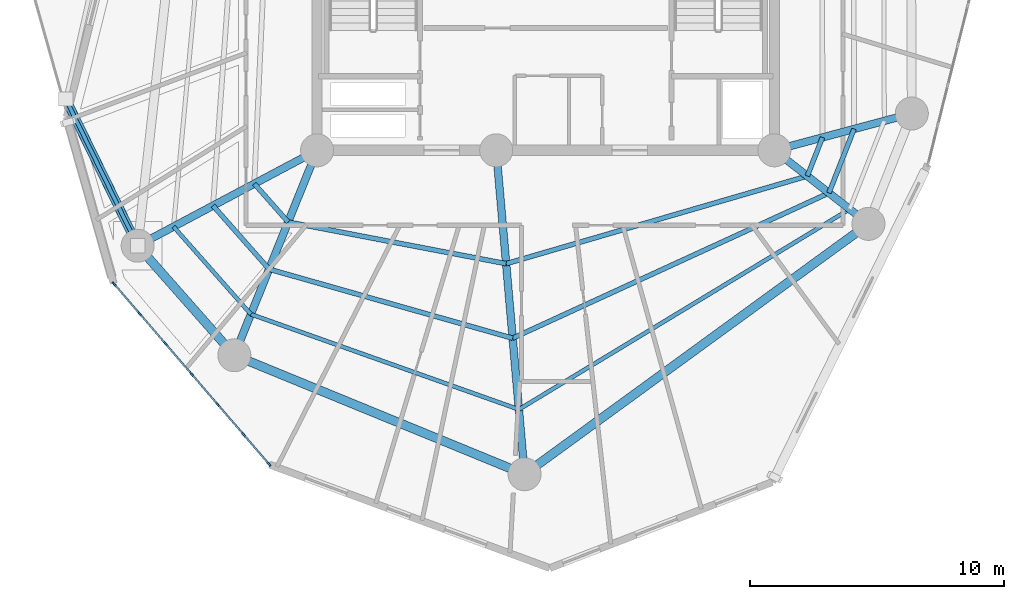
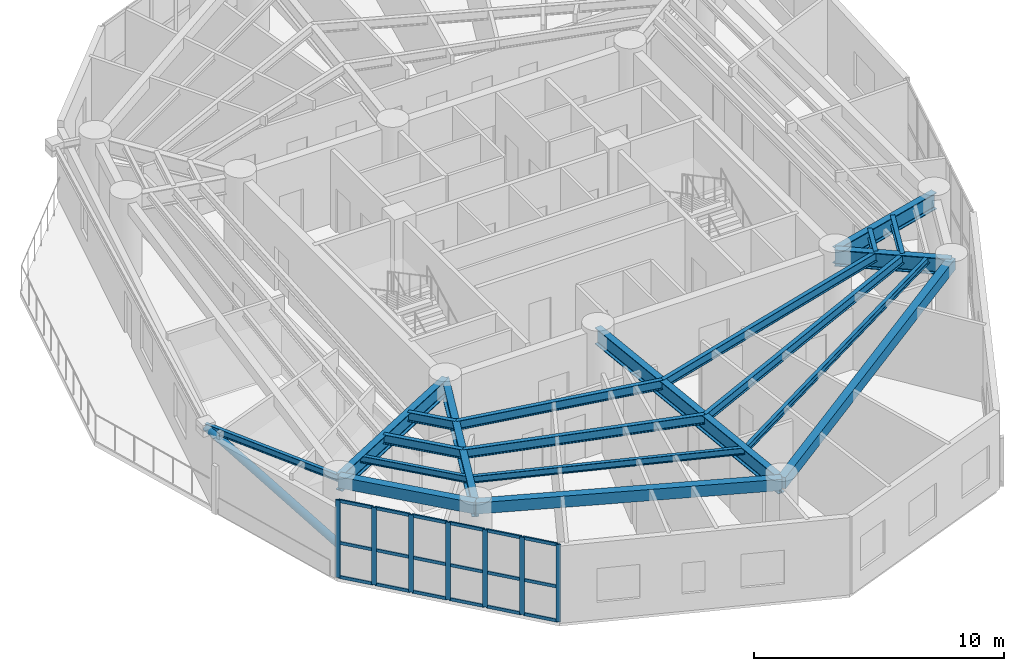
# One storey, part 2 of 14: 26 members, 20 beams, 1 element without a shape of its own.
"""IFC4 building model written with IfcOpenShell, lengths in metres."""

import ifcopenshell
import ifcopenshell.guid

model = None  # the IFC model being written
_history = None  # IfcOwnerHistory: only IFC2X3 demands one
_inside = {}  # id of a spatial element -> (the spatial element, [elements in it])
_under = {}  # id of a project, library or spatial element -> (it, [spatial elements below it])
_declared = {}  # id of a project -> (the project, [libraries it declares])
_typed = {}  # id of a type object -> (the type object, [elements of that type])
_made_of = {}  # id of a material, layer set ... -> (it, [elements and type objects made of it])


def new_model(schema):
    """Start an empty IFC model of exactly this schema.

    Asked for "IFC4X3", IfcOpenShell would pick the latest addendum, in which some entities
    have other attributes; the version numbers below select the first issue.
    IFC2X3 requires an IfcOwnerHistory on every rooted entity: one is made here for all.
    """
    global model, _history
    if schema == "IFC4X3":
        model = ifcopenshell.file(schema_version=(4, 3, 0, 0))
    else:
        model = ifcopenshell.file(schema=schema)
    _inside.clear()
    _under.clear()
    _declared.clear()
    _typed.clear()
    _made_of.clear()
    _history = None
    if model.schema == "IFC2X3":
        org = make("IfcOrganization", Name="unknown")
        user = make(
            "IfcPersonAndOrganization",
            ThePerson=make("IfcPerson", FamilyName="unknown"),
            TheOrganization=org,
        )
        app = make(
            "IfcApplication",
            ApplicationDeveloper=org,
            Version="unknown",
            ApplicationFullName="unknown",
            ApplicationIdentifier="unknown",
        )
        _history = make(
            "IfcOwnerHistory",
            OwningUser=user,
            OwningApplication=app,
            ChangeAction="ADDED",
            CreationDate=0,
        )
    return model


def make(cls, **values):
    """One entity of the class cls with the attributes given. An attribute that is None is left unset."""
    return model.create_entity(
        cls, **{name: value for name, value in values.items() if value is not None}
    )


def rooted(cls, **values):
    """An entity with a GlobalId (a new one), such as an element, a storey or a relation."""
    return make(cls, GlobalId=ifcopenshell.guid.new(), OwnerHistory=_history, **values)


def si_unit(unit_type, name, prefix=None):
    """IfcSIUnit, for example si_unit("LENGTHUNIT", "METRE", prefix="MILLI")."""
    return make("IfcSIUnit", UnitType=unit_type, Prefix=prefix, Name=name)


def assignment(units):
    """IfcUnitAssignment: the units of a project."""
    return None if units is None else make("IfcUnitAssignment", Units=units)


def point(xyz):
    """IfcCartesianPoint."""
    return None if xyz is None else make("IfcCartesianPoint", Coordinates=xyz)


def direction(xyz):
    """IfcDirection."""
    return None if xyz is None else make("IfcDirection", DirectionRatios=xyz)


def frame(location, z_axis=None, x_axis=None):
    """IfcAxis2Placement3D, a coordinate frame: its origin and axes. An axis left out is left unset."""
    return make(
        "IfcAxis2Placement3D",
        Location=point(location),
        Axis=direction(z_axis),
        RefDirection=direction(x_axis),
    )


def frame_2d(location, x_axis=None):
    """IfcAxis2Placement2D, a coordinate frame in the plane: its origin and x axis."""
    return make(
        "IfcAxis2Placement2D", Location=point(location), RefDirection=direction(x_axis)
    )


def origin():
    """The frame at (0, 0, 0) with its axes left unset."""
    return frame((0.0, 0.0, 0.0))


def origin_with_axes():
    """The frame at (0, 0, 0) with the z axis (0, 0, 1) and the x axis (1, 0, 0) written out."""
    return frame((0.0, 0.0, 0.0), z_axis=(0.0, 0.0, 1.0), x_axis=(1.0, 0.0, 0.0))


def origin_2d():
    """The frame at (0, 0) in the plane with its x axis left unset."""
    return frame_2d((0.0, 0.0))


def place(relative_to, where):
    """IfcLocalPlacement: puts the frame where relative to a parent placement (None: the world)."""
    return make(
        "IfcLocalPlacement", PlacementRelTo=relative_to, RelativePlacement=where
    )


def context(
    kind, dimensions, precision=None, world=None, true_north=None, identifier=None
):
    """IfcGeometricRepresentationContext, for example the 3D "Model" context."""
    return make(
        "IfcGeometricRepresentationContext",
        ContextIdentifier=identifier,
        ContextType=kind,
        CoordinateSpaceDimension=dimensions,
        Precision=precision,
        WorldCoordinateSystem=world,
        TrueNorth=true_north,
    )


def subcontext(parent, identifier, kind, view, scale=None):
    """IfcGeometricRepresentationSubContext, for example "Body" below "Model"."""
    return make(
        "IfcGeometricRepresentationSubContext",
        ContextIdentifier=identifier,
        ContextType=kind,
        ParentContext=parent,
        TargetScale=scale,
        TargetView=view,
    )


def project(units=None, contexts=None):
    """IfcProject with its units and contexts."""
    return rooted(
        "IfcProject",
        Name="project",
        RepresentationContexts=contexts,
        UnitsInContext=assignment(units),
    )


def spatial(cls, under=None, at=None, **own):
    """A site, building, storey or space (cls), placed at a placement, below another one or the project."""
    s = rooted(cls, ObjectPlacement=at, **own)
    if under is not None:
        _under.setdefault(under.id(), (under, []))[1].append(s)
    return s


def profile(cls, at=None, kind="AREA", **sizes):
    """A parametric profile (cls). Its sizes go by their IFC names, for example OverallWidth=200.0."""
    return make(cls, ProfileType=kind, Position=at, **sizes)


def rectangle(**sizes):
    """IfcRectangleProfileDef."""
    return profile("IfcRectangleProfileDef", **sizes)


def hollow_circle(**sizes):
    """IfcCircleHollowProfileDef."""
    return profile("IfcCircleHollowProfileDef", **sizes)


def i_section(**sizes):
    """IfcIShapeProfileDef."""
    return profile("IfcIShapeProfileDef", **sizes)


def extrude(swept, where, along, depth):
    """IfcExtrudedAreaSolid: the profile swept, set in the frame where, extruded along a direction by depth."""
    return make(
        "IfcExtrudedAreaSolid",
        SweptArea=swept,
        Position=where,
        ExtrudedDirection=direction(along),
        Depth=depth,
    )


def shape(context_of_items, identifier, shape_type, items):
    """IfcShapeRepresentation: the items that make up one representation, for example the "Body"."""
    return make(
        "IfcShapeRepresentation",
        ContextOfItems=context_of_items,
        RepresentationIdentifier=identifier,
        RepresentationType=shape_type,
        Items=items,
    )


def source(mapping_origin, context_of_items, identifier, shape_type, items):
    """IfcRepresentationMap: a shape defined once, which mapped items show again and again."""
    return make(
        "IfcRepresentationMap",
        MappingOrigin=mapping_origin,
        MappedRepresentation=shape(context_of_items, identifier, shape_type, items),
    )


def transform(
    local_origin,
    x_axis=None,
    y_axis=None,
    z_axis=None,
    scale=None,
    scale2=None,
    scale3=None,
    uniform=True,
):
    """IfcCartesianTransformationOperator3D, or its non-uniform kind. x_axis, y_axis, z_axis: its Axis1, 2, 3."""
    if uniform:
        return make(
            "IfcCartesianTransformationOperator3D",
            Axis1=direction(x_axis),
            Axis2=direction(y_axis),
            LocalOrigin=point(local_origin),
            Scale=scale,
            Axis3=direction(z_axis),
        )
    return make(
        "IfcCartesianTransformationOperator3DnonUniform",
        Axis1=direction(x_axis),
        Axis2=direction(y_axis),
        LocalOrigin=point(local_origin),
        Scale=scale,
        Axis3=direction(z_axis),
        Scale2=scale2,
        Scale3=scale3,
    )


def mapped(mapping_source, mapping_target):
    """IfcMappedItem: shows the shape of a source again, moved by a transform."""
    return make(
        "IfcMappedItem", MappingSource=mapping_source, MappingTarget=mapping_target
    )


def material(Name=None, Category=None):
    """IfcMaterial."""
    return make("IfcMaterial", Name=Name, Category=Category)


def layer(
    of_material, thickness, ventilated=None, Name=None, Category=None, Priority=None
):
    """IfcMaterialLayer: one layer of a wall or slab, of a material (None: an air gap)."""
    return make(
        "IfcMaterialLayer",
        Material=of_material,
        LayerThickness=thickness,
        IsVentilated=ventilated,
        Name=Name,
        Category=Category,
        Priority=Priority,
    )


def layer_set(layers, Name=None):
    """IfcMaterialLayerSet."""
    return make("IfcMaterialLayerSet", MaterialLayers=layers, LayerSetName=Name)


def material_profile(
    of_material, cross_section, Name=None, Category=None, Priority=None
):
    """IfcMaterialProfile: a cross section and its material."""
    return make(
        "IfcMaterialProfile",
        Name=Name,
        Material=of_material,
        Profile=cross_section,
        Priority=Priority,
        Category=Category,
    )


def profile_set(profiles, Name=None, composite=None):
    """IfcMaterialProfileSet."""
    return make(
        "IfcMaterialProfileSet",
        Name=Name,
        MaterialProfiles=profiles,
        CompositeProfile=composite,
    )


def made_of(thing, what):
    """Note that an element or type object is made of a material, layer set ...; save() writes the relation."""
    if what is not None:
        _made_of.setdefault(what.id(), (what, []))[1].append(thing)
    return thing


def type_object(cls, material=None, **own):
    """A type object (cls), such as IfcWallType, which elements share."""
    return made_of(rooted(cls, **own), material)


def element(
    cls,
    number,
    at=None,
    inside=None,
    cuts=None,
    type_object=None,
    material=None,
    context=None,
    identifier="Body",
    shape_type=None,
    held_by="IfcProductDefinitionShape",
    body=None,
    shapes=None,
    **own,
):
    """One element of the class cls, such as IfcWall. Its Tag is "e" and its number.

    at: its placement. inside: the storey or other place that contains it. cuts: it is an
    opening in that element (IfcRelVoidsElement). A single representation is given by context,
    identifier, shape_type and body (its items); several are given by shapes. held_by: the class
    of the entity that holds the representations. save() writes the other relations.
    """
    e = rooted(cls, Tag="e%d" % number, ObjectPlacement=at, **own)
    if body is not None:
        shapes = [shape(context, identifier, shape_type, body)]
    if shapes is not None:
        e.Representation = make(held_by, Representations=shapes)
    if inside is not None:
        _inside.setdefault(inside.id(), (inside, []))[1].append(e)
    if cuts is not None:
        rooted(
            "IfcRelVoidsElement", RelatingBuildingElement=cuts, RelatedOpeningElement=e
        )
    if type_object is not None:
        _typed.setdefault(type_object.id(), (type_object, []))[1].append(e)
    return made_of(e, material)


def aggregate(whole, parts):
    """IfcRelAggregates: a whole, such as a stair, and the parts it consists of."""
    return rooted("IfcRelAggregates", RelatingObject=whole, RelatedObjects=parts)


def save(model, path):
    """Write the relations noted so far, then the file.

    IfcRelAggregates (storeys below a building ...), IfcRelContainedInSpatialStructure (elements
    in a storey), IfcRelDefinesByType, IfcRelAssociatesMaterial and IfcRelDeclares: one each for
    every whole, place, type object, material and project.
    """
    for whole, parts in _under.values():
        aggregate(whole, parts)
    for where, things in _inside.values():
        rooted(
            "IfcRelContainedInSpatialStructure",
            RelatedElements=things,
            RelatingStructure=where,
        )
    for kind, things in _typed.values():
        rooted("IfcRelDefinesByType", RelatedObjects=things, RelatingType=kind)
    for what, things in _made_of.values():
        rooted("IfcRelAssociatesMaterial", RelatedObjects=things, RelatingMaterial=what)
    for by, libraries in _declared.values():
        rooted("IfcRelDeclares", RelatingContext=by, RelatedDefinitions=libraries)
    model.write(path)


model = new_model("IFC4")

# Units and contexts
model_context = context("Model", 3, precision=1e-05, world=origin(), true_north=direction((0.0, 1.0)))
body_context = subcontext(model_context, "Body", "Model", "MODEL_VIEW")
ifc_project = project(units=[si_unit("LENGTHUNIT", "METRE"), si_unit("AREAUNIT", "SQUARE_METRE"), si_unit("VOLUMEUNIT", "CUBIC_METRE"), si_unit("PLANEANGLEUNIT", "RADIAN"), si_unit("MASSUNIT", "GRAM", prefix="KILO")], contexts=[model_context])

# Site, building, storey
site_placement = place(None, origin())
site = spatial("IfcSite", under=ifc_project, at=site_placement, CompositionType="ELEMENT")
building_placement = place(site_placement, origin())
building = spatial("IfcBuilding", under=site, at=building_placement, Name="Karkom Vertical University and Central Library", CompositionType="ELEMENT")
storey_placement = place(building_placement, frame((0.0, 0.0, 152.550048828125)))
storey = spatial("IfcBuildingStorey", under=building, at=storey_placement, Name="L43", CompositionType="ELEMENT", Elevation=152.550048828125)

# Beams
ifc_material_1 = material(Name="Steel S355", Category="steel")
ifc_material_profile_1 = material_profile(ifc_material_1, i_section(OverallWidth=0.300048828125, OverallDepth=0.800048828125, WebThickness=0.017578125, FlangeThickness=0.032958984375, FilletRadius=0.030029296875, at=origin_2d()), Name="HE 800 B")
ifc_profile_set_1 = profile_set([ifc_material_profile_1], Name="Steel S355")
beam_type_1 = type_object("IfcBeamType", Name="STR-BM-SB-HE800", PredefinedType="USERDEFINED", material=ifc_profile_set_1)
shared_shape_1 = source(origin_with_axes(), body_context, "Body", "SweptSolid", [
    extrude(i_section(OverallWidth=0.300048828125, OverallDepth=0.800048828125, WebThickness=0.017578125, FlangeThickness=0.032958984375, FilletRadius=0.030029296875, at=origin_2d()), origin(), (0.0, 0.0, 1.0), 5.599609375),
])
beam_1_placement = place(storey_placement, frame((37.5, 18.300048828125, 3.375), z_axis=(0.965941240814, 0.258761510459, 0.0), x_axis=(-0.258761510459, 0.965941240814, 0.0)))
element("IfcBeam", 1, at=beam_1_placement, inside=storey, type_object=beam_type_1, Name="Level 43 Radial Frame Girder 01", ObjectType="GIRDER", PredefinedType="USERDEFINED", context=body_context, shape_type="MappedRepresentation", body=[
    mapped(shared_shape_1, transform((0.0, 0.0, 0.0), scale=1.0)),
])
shared_shape_2 = source(origin_with_axes(), body_context, "Body", "SweptSolid", [
    extrude(i_section(OverallWidth=0.300048828125, OverallDepth=0.800048828125, WebThickness=0.017578125, FlangeThickness=0.032958984375, FilletRadius=0.030029296875, at=origin_2d()), origin(), (0.0, 0.0, 1.0), 8.00048828125),
])
beam_2_placement = place(storey_placement, frame((19.5, 18.300048828125, 3.375), z_axis=(-0.882941023922, -0.46948391695, 0.0), x_axis=(0.46948391695, -0.882941023922, 0.0)))
element("IfcBeam", 2, at=beam_2_placement, inside=storey, type_object=beam_type_1, Name="Level 43 Radial Frame Girder 06", ObjectType="GIRDER", PredefinedType="USERDEFINED", context=body_context, shape_type="MappedRepresentation", body=[
    mapped(shared_shape_2, transform((0.0, 0.0, 0.0), scale=1.0)),
])
shared_shape_3 = source(origin_with_axes(), body_context, "Body", "SweptSolid", [
    extrude(i_section(OverallWidth=0.300048828125, OverallDepth=0.800048828125, WebThickness=0.017578125, FlangeThickness=0.032958984375, FilletRadius=0.030029296875, at=origin_2d()), origin(), (0.0, 0.0, 1.0), 8.69970703125),
])
beam_3_placement = place(storey_placement, frame((19.5, 18.300048828125, 3.375), z_axis=(-0.374615701214, -0.927180174725, 0.0), x_axis=(0.927180174725, -0.374615701214, 0.0)))
element("IfcBeam", 3, at=beam_3_placement, inside=storey, type_object=beam_type_1, Name="Level 43 Radial Frame Girder 07", ObjectType="GIRDER", PredefinedType="USERDEFINED", context=body_context, shape_type="MappedRepresentation", body=[
    mapped(shared_shape_3, transform((0.0, 0.0, 0.0), scale=1.0)),
])
shared_shape_4 = source(origin_with_axes(), body_context, "Body", "SweptSolid", [
    extrude(i_section(OverallWidth=0.300048828125, OverallDepth=0.800048828125, WebThickness=0.017578125, FlangeThickness=0.032958984375, FilletRadius=0.030029296875, at=origin_2d()), origin(), (0.0, 0.0, 1.0), 12.7998046875),
])
beam_4_placement = place(storey_placement, frame((26.550048828125, 18.300048828125, 3.375), z_axis=(0.087186825694, -0.996191978198, 0.0), x_axis=(0.996191978198, 0.087186825694, 0.0)))
element("IfcBeam", 4, at=beam_4_placement, inside=storey, type_object=beam_type_1, Name="Level 43 Radial Frame Girder 08", ObjectType="GIRDER", PredefinedType="USERDEFINED", context=body_context, shape_type="MappedRepresentation", body=[
    mapped(shared_shape_4, transform((0.0, 0.0, 0.0), scale=1.0)),
])
shared_shape_5 = source(origin_with_axes(), body_context, "Body", "SweptSolid", [
    extrude(i_section(OverallWidth=0.300048828125, OverallDepth=0.800048828125, WebThickness=0.017578125, FlangeThickness=0.032958984375, FilletRadius=0.030029296875, at=origin_2d()), origin(), (0.0, 0.0, 1.0), 4.70068359375),
])
beam_5_placement = place(storey_placement, frame((37.5, 18.300048828125, 3.375), z_axis=(0.788002325582, -0.615672262553, 0.0), x_axis=(0.615672262553, 0.788002325582, 0.0)))
element("IfcBeam", 5, at=beam_5_placement, inside=storey, type_object=beam_type_1, Name="Level 43 Radial Frame Girder 09", ObjectType="GIRDER", PredefinedType="USERDEFINED", context=body_context, shape_type="MappedRepresentation", body=[
    mapped(shared_shape_5, transform((0.0, 0.0, 0.0), scale=1.0)),
])
ifc_material_2 = material(Name="Precast concrete C45/55", Category="concrete")
ifc_material_profile_2 = material_profile(ifc_material_2, rectangle(XDim=0.35009765625, YDim=0.550048828125, at=origin_2d()), Name="SPB-350x550")
ifc_profile_set_2 = profile_set([ifc_material_profile_2], Name="Precast concrete C45/55")
beam_type_2 = type_object("IfcBeamType", Name="STR-BM-SP-2", PredefinedType="SPANDREL", material=ifc_profile_set_2)
shared_shape_6 = source(origin_with_axes(), body_context, "Body", "SweptSolid", [
    extrude(rectangle(XDim=0.35009765625, YDim=0.550048828125, at=origin_2d()), origin(), (0.0, 0.0, 1.0), 5.749267578125),
])
beam_6_placement = place(storey_placement, frame((12.43603515625, 14.5439453125, 3.5), z_axis=(0.661811219671, -0.74967053398, 0.0), x_axis=(0.74967053398, 0.661811219671, 0.0)))
element("IfcBeam", 6, at=beam_6_placement, inside=storey, type_object=beam_type_2, Name="Level 43 Perimeter Spandrel Beam 06", PredefinedType="SPANDREL", context=body_context, shape_type="MappedRepresentation", body=[
    mapped(shared_shape_6, transform((0.0, 0.0, 0.0), scale=1.0)),
])
shared_shape_7 = source(origin_with_axes(), body_context, "Body", "SweptSolid", [
    extrude(rectangle(XDim=0.35009765625, YDim=0.550048828125, at=origin_2d()), origin(), (0.0, 0.0, 1.0), 12.34814453125),
])
beam_7_placement = place(storey_placement, frame((16.240966796875, 10.23388671875, 3.5), z_axis=(0.925236428984, -0.37939102583, 0.0), x_axis=(0.37939102583, 0.925236428984, 0.0)))
element("IfcBeam", 7, at=beam_7_placement, inside=storey, type_object=beam_type_2, Name="Level 43 Perimeter Spandrel Beam 07", PredefinedType="SPANDREL", context=body_context, shape_type="MappedRepresentation", body=[
    mapped(shared_shape_7, transform((0.0, 0.0, 0.0), scale=1.0)),
])
shared_shape_8 = source(origin_with_axes(), body_context, "Body", "SweptSolid", [
    extrude(rectangle(XDim=0.35009765625, YDim=0.550048828125, at=origin_2d()), origin(), (0.0, 0.0, 1.0), 16.746337890625),
])
beam_8_placement = place(storey_placement, frame((27.666015625, 5.549072265625, 3.5), z_axis=(0.808422013284, 0.588603303115, 0.0), x_axis=(-0.588603303115, 0.808422013284, 0.0)))
element("IfcBeam", 8, at=beam_8_placement, inside=storey, type_object=beam_type_2, Name="Level 43 Perimeter Spandrel Beam 08", PredefinedType="SPANDREL", context=body_context, shape_type="MappedRepresentation", body=[
    mapped(shared_shape_8, transform((0.0, 0.0, 0.0), scale=1.0)),
])
ifc_material_profile_3 = material_profile(ifc_material_1, i_section(OverallWidth=0.18994140625, OverallDepth=0.449951171875, WebThickness=0.009521484375, FlangeThickness=0.0146484375, FilletRadius=0.02099609375, at=origin_2d()), Name="IPE 450")
ifc_profile_set_3 = profile_set([ifc_material_profile_3], Name="Steel S355")
beam_type_3 = type_object("IfcBeamType", Name="STR-BM-SB-IPE450", PredefinedType="BEAM", material=ifc_profile_set_3)
shared_shape_9 = source(origin_with_axes(), body_context, "Body", "SweptSolid", [
    extrude(i_section(OverallWidth=0.18994140625, OverallDepth=0.449951171875, WebThickness=0.009521484375, FlangeThickness=0.0146484375, FilletRadius=0.02099609375, at=origin_2d()), origin(), (0.0, 0.0, 1.0), 2.01220703125),
])
beam_9_placement = place(storey_placement, frame((17.027587890625, 16.9853515625, 3.550048828125), z_axis=(0.661822246424, -0.749660799387, 0.0), x_axis=(0.749660799387, 0.661822246424, 0.0)))
element("IfcBeam", 9, at=beam_9_placement, inside=storey, type_object=beam_type_3, Name="Level 43 Secondary Composite Floor Beam 1.06", PredefinedType="BEAM", context=body_context, shape_type="MappedRepresentation", body=[
    mapped(shared_shape_9, transform((0.0, 0.0, 0.0), scale=1.0)),
])
shared_shape_10 = source(origin_with_axes(), body_context, "Body", "SweptSolid", [
    extrude(i_section(OverallWidth=0.18994140625, OverallDepth=0.449951171875, WebThickness=0.009521484375, FlangeThickness=0.0146484375, FilletRadius=0.02099609375, at=origin_2d()), origin(), (0.0, 0.0, 1.0), 8.736572265625),
])
beam_10_placement = place(storey_placement, frame((18.359375, 15.476806640625, 3.550048828125), z_axis=(0.982230782932, -0.187677087205, 0.0), x_axis=(0.187677087205, 0.982230782932, 0.0)))
element("IfcBeam", 10, at=beam_10_placement, inside=storey, type_object=beam_type_3, Name="Level 43 Secondary Composite Floor Beam 1.07", PredefinedType="BEAM", context=body_context, shape_type="MappedRepresentation", body=[
    mapped(shared_shape_10, transform((0.0, 0.0, 0.0), scale=1.0)),
])
shared_shape_11 = source(origin_with_axes(), body_context, "Body", "SweptSolid", [
    extrude(i_section(OverallWidth=0.18994140625, OverallDepth=0.449951171875, WebThickness=0.009521484375, FlangeThickness=0.0146484375, FilletRadius=0.02099609375, at=origin_2d()), origin(), (0.0, 0.0, 1.0), 12.347412109375),
])
beam_11_placement = place(storey_placement, frame((26.940673828125, 13.837158203125, 3.550048828125), z_axis=(0.960173212987, 0.279405442077, 0.0), x_axis=(-0.279405442077, 0.960173212987, 0.0)))
element("IfcBeam", 11, at=beam_11_placement, inside=storey, type_object=beam_type_3, Name="Level 43 Secondary Composite Floor Beam 1.08", PredefinedType="BEAM", context=body_context, shape_type="MappedRepresentation", body=[
    mapped(shared_shape_11, transform((0.0, 0.0, 0.0), scale=1.0)),
])
shared_shape_12 = source(origin_with_axes(), body_context, "Body", "SweptSolid", [
    extrude(i_section(OverallWidth=0.18994140625, OverallDepth=0.449951171875, WebThickness=0.009521484375, FlangeThickness=0.0146484375, FilletRadius=0.02099609375, at=origin_2d()), origin(), (0.0, 0.0, 1.0), 1.633056640625),
])
beam_12_placement = place(storey_placement, frame((38.79638671875, 17.287109375, 3.550048828125), z_axis=(0.365402570083, 0.930849591382, 0.0), x_axis=(-0.930849591382, 0.365402570083, 0.0)))
element("IfcBeam", 12, at=beam_12_placement, inside=storey, type_object=beam_type_3, Name="Level 43 Secondary Composite Floor Beam 1.09", PredefinedType="BEAM", context=body_context, shape_type="MappedRepresentation", body=[
    mapped(shared_shape_12, transform((0.0, 0.0, 0.0), scale=1.0)),
])
shared_shape_13 = source(origin_with_axes(), body_context, "Body", "SweptSolid", [
    extrude(i_section(OverallWidth=0.18994140625, OverallDepth=0.449951171875, WebThickness=0.009521484375, FlangeThickness=0.0146484375, FilletRadius=0.02099609375, at=origin_2d()), origin(), (0.0, 0.0, 1.0), 3.334716796875),
])
beam_13_placement = place(storey_placement, frame((15.40283203125, 16.12158203125, 3.550048828125), z_axis=(0.661815321502, -0.749666912852, 0.0), x_axis=(0.749666912852, 0.661815321502, 0.0)))
element("IfcBeam", 13, at=beam_13_placement, inside=storey, type_object=beam_type_3, Name="Level 43 Secondary Composite Floor Beam 2.06", PredefinedType="BEAM", context=body_context, shape_type="MappedRepresentation", body=[
    mapped(shared_shape_13, transform((0.0, 0.0, 0.0), scale=1.0)),
])
shared_shape_14 = source(origin_with_axes(), body_context, "Body", "SweptSolid", [
    extrude(i_section(OverallWidth=0.18994140625, OverallDepth=0.449951171875, WebThickness=0.009521484375, FlangeThickness=0.0146484375, FilletRadius=0.02099609375, at=origin_2d()), origin(), (0.0, 0.0, 1.0), 9.965087890625),
])
beam_14_placement = place(storey_placement, frame((17.60986328125, 13.62158203125, 3.550048828125), z_axis=(0.962104232935, -0.272681948372, 0.0), x_axis=(0.272681948372, 0.962104232935, 0.0)))
element("IfcBeam", 14, at=beam_14_placement, inside=storey, type_object=beam_type_3, Name="Level 43 Secondary Composite Floor Beam 2.07", PredefinedType="BEAM", context=body_context, shape_type="MappedRepresentation", body=[
    mapped(shared_shape_14, transform((0.0, 0.0, 0.0), scale=1.0)),
])
shared_shape_15 = source(origin_with_axes(), body_context, "Body", "SweptSolid", [
    extrude(i_section(OverallWidth=0.18994140625, OverallDepth=0.449951171875, WebThickness=0.009521484375, FlangeThickness=0.0146484375, FilletRadius=0.02099609375, at=origin_2d()), origin(), (0.0, 0.0, 1.0), 13.700927734375),
])
beam_15_placement = place(storey_placement, frame((27.197265625, 10.904296875, 3.550048828125), z_axis=(0.908771280691, 0.417294571486, 0.0), x_axis=(-0.417294571486, 0.908771280691, 0.0)))
element("IfcBeam", 15, at=beam_15_placement, inside=storey, type_object=beam_type_3, Name="Level 43 Secondary Composite Floor Beam 2.08", PredefinedType="BEAM", context=body_context, shape_type="MappedRepresentation", body=[
    mapped(shared_shape_15, transform((0.0, 0.0, 0.0), scale=1.0)),
])
shared_shape_16 = source(origin_with_axes(), body_context, "Body", "SweptSolid", [
    extrude(i_section(OverallWidth=0.18994140625, OverallDepth=0.449951171875, WebThickness=0.009521484375, FlangeThickness=0.0146484375, FilletRadius=0.02099609375, at=origin_2d()), origin(), (0.0, 0.0, 1.0), 2.7060546875),
])
beam_16_placement = place(storey_placement, frame((39.648193359375, 16.62158203125, 3.550048828125), z_axis=(0.365487674906, 0.930816179217, 0.0), x_axis=(-0.930816179217, 0.365487674906, 0.0)))
element("IfcBeam", 16, at=beam_16_placement, inside=storey, type_object=beam_type_3, Name="Level 43 Secondary Composite Floor Beam 2.09", PredefinedType="BEAM", context=body_context, shape_type="MappedRepresentation", body=[
    mapped(shared_shape_16, transform((0.0, 0.0, 0.0), scale=1.0)),
])
ifc_material_profile_4 = material_profile(ifc_material_1, i_section(OverallWidth=0.159912109375, OverallDepth=0.330078125, WebThickness=0.007568359375, FlangeThickness=0.011474609375, FilletRadius=0.01806640625, at=origin_2d()), Name="IPE 330")
ifc_profile_set_4 = profile_set([ifc_material_profile_4], Name="Steel S355")
beam_type_4 = type_object("IfcBeamType", Name="STR-BM-SB-IPE330", PredefinedType="BEAM", material=ifc_profile_set_4)
shared_shape_17 = source(origin_with_axes(), body_context, "Body", "SweptSolid", [
    extrude(i_section(OverallWidth=0.159912109375, OverallDepth=0.330078125, WebThickness=0.007568359375, FlangeThickness=0.011474609375, FilletRadius=0.01806640625, at=origin_2d()), origin(), (0.0, 0.0, 1.0), 4.599365234375),
])
beam_17_placement = place(storey_placement, frame((13.848876953125, 15.295166015625, 3.60986328125), z_axis=(0.661816486801, -0.74966588411, 0.0), x_axis=(0.74966588411, 0.661816486801, 0.0)))
element("IfcBeam", 17, at=beam_17_placement, inside=storey, type_object=beam_type_4, Name="Level 43 Secondary Composite Floor Beam 3.06", PredefinedType="BEAM", context=body_context, shape_type="MappedRepresentation", body=[
    mapped(shared_shape_17, transform((0.0, 0.0, 0.0), scale=1.0)),
])
shared_shape_18 = source(origin_with_axes(), body_context, "Body", "SweptSolid", [
    extrude(i_section(OverallWidth=0.159912109375, OverallDepth=0.330078125, WebThickness=0.007568359375, FlangeThickness=0.011474609375, FilletRadius=0.01806640625, at=origin_2d()), origin(), (0.0, 0.0, 1.0), 11.196044921875),
])
beam_18_placement = place(storey_placement, frame((16.892822265625, 11.84716796875, 3.60986328125), z_axis=(0.942301538336, -0.334765307119, 0.0), x_axis=(0.334765307119, 0.942301538336, 0.0)))
element("IfcBeam", 18, at=beam_18_placement, inside=storey, type_object=beam_type_4, Name="Level 43 Secondary Composite Floor Beam 3.07", PredefinedType="BEAM", context=body_context, shape_type="MappedRepresentation", body=[
    mapped(shared_shape_18, transform((0.0, 0.0, 0.0), scale=1.0)),
])
shared_shape_19 = source(origin_with_axes(), body_context, "Body", "SweptSolid", [
    extrude(i_section(OverallWidth=0.159912109375, OverallDepth=0.330078125, WebThickness=0.007568359375, FlangeThickness=0.011474609375, FilletRadius=0.01806640625, at=origin_2d()), origin(), (0.0, 0.0, 1.0), 15.22216796875),
])
beam_19_placement = place(storey_placement, frame((27.44287109375, 8.09912109375, 3.60986328125), z_axis=(0.855352900974, 0.518045765155, 0.0), x_axis=(-0.518045765155, 0.855352900974, 0.0)))
element("IfcBeam", 19, at=beam_19_placement, inside=storey, type_object=beam_type_4, Name="Level 43 Secondary Composite Floor Beam 3.08", PredefinedType="BEAM", context=body_context, shape_type="MappedRepresentation", body=[
    mapped(shared_shape_19, transform((0.0, 0.0, 0.0), scale=1.0)),
])
shared_shape_20 = source(origin_with_axes(), body_context, "Body", "SweptSolid", [
    extrude(i_section(OverallWidth=0.159912109375, OverallDepth=0.330078125, WebThickness=0.007568359375, FlangeThickness=0.011474609375, FilletRadius=0.01806640625, at=origin_2d()), origin(), (0.0, 0.0, 1.0), 6.427734375),
])
beam_20_placement = place(storey_placement, frame((12.43603515625, 14.5439453125, 3.60986328125), z_axis=(-0.439906208552, 0.898043722587, 0.0), x_axis=(-0.898043722587, -0.439906208552, 0.0)))
element("IfcBeam", 20, at=beam_20_placement, inside=storey, type_object=beam_type_4, Name="Level 43 Sky Garden Outrigger Support Beam 2", PredefinedType="BEAM", context=body_context, shape_type="MappedRepresentation", body=[
    mapped(shared_shape_20, transform((0.0, 0.0, 0.0), scale=1.0)),
])

# Member
ifc_material_profile_5 = material_profile(ifc_material_1, hollow_circle(Radius=0.177734375, WallThickness=0.01611328125, at=origin_2d()), Name="CHS 355.6x16")
ifc_profile_set_5 = profile_set([ifc_material_profile_5], Name="Steel S355")
member_type_1 = type_object("IfcMemberType", Name="STR-MEM-BR-3", PredefinedType="BRACE", material=ifc_profile_set_5)
shared_shape_21 = source(origin_with_axes(), body_context, "Body", "SweptSolid", [
    extrude(hollow_circle(Radius=0.177734375, WallThickness=0.01611328125, at=origin_2d()), origin(), (0.0, 0.0, 1.0), 7.207275390625),
])
member_1_placement = place(storey_placement, frame((12.43603515625, 14.5439453125, 0.349853515625), z_axis=(-0.392332092301, 0.800923846517, 0.45232346991), x_axis=(-0.898043722587, -0.439906208552, 0.0)))
element("IfcMember", 21, at=member_1_placement, inside=storey, type_object=member_type_1, Name="Level 43 Sky Garden Knee Strut Brace 2", PredefinedType="BRACE", context=body_context, shape_type="MappedRepresentation", body=[
    mapped(shared_shape_21, transform((0.0, 0.0, 0.0), scale=1.0)),
])

# Curtain wall, members
ifc_material_3 = material(Name="Aluminium curtain-wall framing and low-E IGU", Category="aluminium")
ifc_layer = layer(ifc_material_3, 0.199951171875)
ifc_layer_set = layer_set([ifc_layer], Name="Aluminium curtain-wall framing and low-E IGU")
curtain_wall_type = type_object("IfcCurtainWallType", Name="ENV-CW-5", PredefinedType="USERDEFINED", material=ifc_layer_set)
curtain_wall_placement = place(storey_placement, origin())
curtain_wall = element("IfcCurtainWall", 22, at=curtain_wall_placement, inside=storey, type_object=curtain_wall_type, Name="Level 43 CW-5 Curtain Wall L43-CW5-02", ObjectType="UNITISED GLAZING", PredefinedType="USERDEFINED")
ifc_material_4 = material(Name="Anodised Aluminium 6063-T6", Category="aluminium")
ifc_material_profile_6 = material_profile(ifc_material_4, rectangle(XDim=0.070068359375, YDim=0.199951171875, at=origin_2d()), Name="ALU-M70x200")
ifc_profile_set_6 = profile_set([ifc_material_profile_6], Name="Anodised Aluminium 6063-T6")
member_type_2 = type_object("IfcMemberType", Name="ENV-MEM-ALU-M70x200", PredefinedType="MULLION", material=ifc_profile_set_6)
shared_shape_22 = source(origin_with_axes(), body_context, "Body", "SweptSolid", [
    extrude(rectangle(XDim=0.070068359375, YDim=0.199951171875, at=origin_2d()), origin(), (0.0, 0.0, 1.0), 3.77490234375),
])
member_2_placement = place(storey_placement, frame((11.5107421875, 13.0341796875, 0.0), z_axis=(0.0, 0.0, 1.0), x_axis=(0.758241610764, 0.651973664887, 0.0)))
member_2 = element("IfcMember", 23, at=member_2_placement, type_object=member_type_2, Name="CW-5 mullion 1", PredefinedType="MULLION", context=body_context, shape_type="MappedRepresentation", body=[
    mapped(shared_shape_22, transform((0.0, 0.0, 0.0), scale=1.0)),
])
member_3_placement = place(storey_placement, frame((12.510498046875, 11.871337890625, 0.0), z_axis=(0.0, 0.0, 1.0), x_axis=(0.758241610764, 0.651973664887, 0.0)))
member_3 = element("IfcMember", 24, at=member_3_placement, type_object=member_type_2, Name="CW-5 mullion 2", PredefinedType="MULLION", context=body_context, shape_type="MappedRepresentation", body=[
    mapped(shared_shape_22, transform((0.0, 0.0, 0.0), scale=1.0)),
])
member_4_placement = place(storey_placement, frame((13.533203125, 10.681884765625, 0.0), z_axis=(0.0, 0.0, 1.0), x_axis=(0.758241610764, 0.651973664887, 0.0)))
member_4 = element("IfcMember", 25, at=member_4_placement, type_object=member_type_2, Name="CW-5 mullion 3", PredefinedType="MULLION", context=body_context, shape_type="MappedRepresentation", body=[
    mapped(shared_shape_22, transform((0.0, 0.0, 0.0), scale=1.0)),
])
member_5_placement = place(storey_placement, frame((14.555908203125, 9.49267578125, 0.0), z_axis=(0.0, 0.0, 1.0), x_axis=(0.758241610764, 0.651973664887, 0.0)))
member_5 = element("IfcMember", 26, at=member_5_placement, type_object=member_type_2, Name="CW-5 mullion 4", PredefinedType="MULLION", context=body_context, shape_type="MappedRepresentation", body=[
    mapped(shared_shape_22, transform((0.0, 0.0, 0.0), scale=1.0)),
])
member_6_placement = place(storey_placement, frame((15.578369140625, 8.30322265625, 0.0), z_axis=(0.0, 0.0, 1.0), x_axis=(0.758241610764, 0.651973664887, 0.0)))
member_6 = element("IfcMember", 27, at=member_6_placement, type_object=member_type_2, Name="CW-5 mullion 5", PredefinedType="MULLION", context=body_context, shape_type="MappedRepresentation", body=[
    mapped(shared_shape_22, transform((0.0, 0.0, 0.0), scale=1.0)),
])
member_7_placement = place(storey_placement, frame((16.60107421875, 7.114013671875, 0.0), z_axis=(0.0, 0.0, 1.0), x_axis=(0.758241610764, 0.651973664887, 0.0)))
member_7 = element("IfcMember", 28, at=member_7_placement, type_object=member_type_2, Name="CW-5 mullion 6", PredefinedType="MULLION", context=body_context, shape_type="MappedRepresentation", body=[
    mapped(shared_shape_22, transform((0.0, 0.0, 0.0), scale=1.0)),
])
member_8_placement = place(storey_placement, frame((17.600830078125, 5.951171875, 0.0), z_axis=(0.0, 0.0, 1.0), x_axis=(0.758241610764, 0.651973664887, 0.0)))
member_8 = element("IfcMember", 29, at=member_8_placement, type_object=member_type_2, Name="CW-5 mullion 7", PredefinedType="MULLION", context=body_context, shape_type="MappedRepresentation", body=[
    mapped(shared_shape_22, transform((0.0, 0.0, 0.0), scale=1.0)),
])
ifc_material_profile_7 = material_profile(ifc_material_4, rectangle(XDim=0.070068359375, YDim=0.14990234375, at=origin_2d()), Name="ALU-T70x150")
ifc_profile_set_7 = profile_set([ifc_material_profile_7], Name="Anodised Aluminium 6063-T6")
member_type_3 = type_object("IfcMemberType", Name="ENV-MEM-ALU-T70x150", PredefinedType="USERDEFINED", material=ifc_profile_set_7)
shared_shape_23 = source(origin_with_axes(), body_context, "Body", "SweptSolid", [
    extrude(rectangle(XDim=0.070068359375, YDim=0.14990234375, at=origin_2d()), origin(), (0.0, 0.0, 1.0), 1.4638671875),
])
member_9_placement = place(storey_placement, frame((11.533447265625, 13.007568359375, 0.034912109375), z_axis=(0.651985575025, -0.758231369675, 0.0), x_axis=(0.758231369675, 0.651985575025, 0.0)))
member_9 = element("IfcMember", 30, at=member_9_placement, type_object=member_type_3, Name="CW-5 transom 1.1", ObjectType="TRANSOM", PredefinedType="USERDEFINED", context=body_context, shape_type="MappedRepresentation", body=[
    mapped(shared_shape_23, transform((0.0, 0.0, 0.0), scale=1.0)),
])
member_10_placement = place(storey_placement, frame((11.533447265625, 13.007568359375, 1.69873046875), z_axis=(0.651985575025, -0.758231369675, 0.0), x_axis=(0.758231369675, 0.651985575025, 0.0)))
member_10 = element("IfcMember", 31, at=member_10_placement, type_object=member_type_3, Name="CW-5 transom 1.2", ObjectType="TRANSOM", PredefinedType="USERDEFINED", context=body_context, shape_type="MappedRepresentation", body=[
    mapped(shared_shape_23, transform((0.0, 0.0, 0.0), scale=1.0)),
])
member_11_placement = place(storey_placement, frame((11.533447265625, 13.007568359375, 3.739990234375), z_axis=(0.651985575025, -0.758231369675, 0.0), x_axis=(0.758231369675, 0.651985575025, 0.0)))
member_11 = element("IfcMember", 32, at=member_11_placement, type_object=member_type_3, Name="CW-5 transom 1.3", ObjectType="TRANSOM", PredefinedType="USERDEFINED", context=body_context, shape_type="MappedRepresentation", body=[
    mapped(shared_shape_23, transform((0.0, 0.0, 0.0), scale=1.0)),
])
shared_shape_24 = source(origin_with_axes(), body_context, "Body", "SweptSolid", [
    extrude(rectangle(XDim=0.070068359375, YDim=0.14990234375, at=origin_2d()), origin(), (0.0, 0.0, 1.0), 1.498291015625),
])
member_12_placement = place(storey_placement, frame((12.533447265625, 11.8447265625, 0.034912109375), z_axis=(0.651904384447, -0.75830117601, 0.0), x_axis=(0.75830117601, 0.651904384447, 0.0)))
member_12 = element("IfcMember", 33, at=member_12_placement, type_object=member_type_3, Name="CW-5 transom 2.1", ObjectType="TRANSOM", PredefinedType="USERDEFINED", context=body_context, shape_type="MappedRepresentation", body=[
    mapped(shared_shape_24, transform((0.0, 0.0, 0.0), scale=1.0)),
])
member_13_placement = place(storey_placement, frame((12.533447265625, 11.8447265625, 1.69873046875), z_axis=(0.651904384447, -0.75830117601, 0.0), x_axis=(0.75830117601, 0.651904384447, 0.0)))
member_13 = element("IfcMember", 34, at=member_13_placement, type_object=member_type_3, Name="CW-5 transom 2.2", ObjectType="TRANSOM", PredefinedType="USERDEFINED", context=body_context, shape_type="MappedRepresentation", body=[
    mapped(shared_shape_24, transform((0.0, 0.0, 0.0), scale=1.0)),
])
member_14_placement = place(storey_placement, frame((12.533447265625, 11.8447265625, 3.739990234375), z_axis=(0.651904384447, -0.75830117601, 0.0), x_axis=(0.75830117601, 0.651904384447, 0.0)))
member_14 = element("IfcMember", 35, at=member_14_placement, type_object=member_type_3, Name="CW-5 transom 2.3", ObjectType="TRANSOM", PredefinedType="USERDEFINED", context=body_context, shape_type="MappedRepresentation", body=[
    mapped(shared_shape_24, transform((0.0, 0.0, 0.0), scale=1.0)),
])
shared_shape_25 = source(origin_with_axes(), body_context, "Body", "SweptSolid", [
    extrude(rectangle(XDim=0.070068359375, YDim=0.14990234375, at=origin_2d()), origin(), (0.0, 0.0, 1.0), 1.49853515625),
])
member_15_placement = place(storey_placement, frame((13.555908203125, 10.655517578125, 0.034912109375), z_axis=(0.651998060723, -0.758220633334, 0.0), x_axis=(0.758220633334, 0.651998060723, 0.0)))
member_15 = element("IfcMember", 36, at=member_15_placement, type_object=member_type_3, Name="CW-5 transom 3.1", ObjectType="TRANSOM", PredefinedType="USERDEFINED", context=body_context, shape_type="MappedRepresentation", body=[
    mapped(shared_shape_25, transform((0.0, 0.0, 0.0), scale=1.0)),
])
member_16_placement = place(storey_placement, frame((13.555908203125, 10.655517578125, 1.69873046875), z_axis=(0.651998060723, -0.758220633334, 0.0), x_axis=(0.758220633334, 0.651998060723, 0.0)))
member_16 = element("IfcMember", 37, at=member_16_placement, type_object=member_type_3, Name="CW-5 transom 3.2", ObjectType="TRANSOM", PredefinedType="USERDEFINED", context=body_context, shape_type="MappedRepresentation", body=[
    mapped(shared_shape_25, transform((0.0, 0.0, 0.0), scale=1.0)),
])
member_17_placement = place(storey_placement, frame((13.555908203125, 10.655517578125, 3.739990234375), z_axis=(0.651998060723, -0.758220633334, 0.0), x_axis=(0.758220633334, 0.651998060723, 0.0)))
member_17 = element("IfcMember", 38, at=member_17_placement, type_object=member_type_3, Name="CW-5 transom 3.3", ObjectType="TRANSOM", PredefinedType="USERDEFINED", context=body_context, shape_type="MappedRepresentation", body=[
    mapped(shared_shape_25, transform((0.0, 0.0, 0.0), scale=1.0)),
])
member_18_placement = place(storey_placement, frame((14.57861328125, 9.466064453125, 0.034912109375), z_axis=(0.651998060723, -0.758220633334, 0.0), x_axis=(0.758220633334, 0.651998060723, 0.0)))
member_18 = element("IfcMember", 39, at=member_18_placement, type_object=member_type_3, Name="CW-5 transom 4.1", ObjectType="TRANSOM", PredefinedType="USERDEFINED", context=body_context, shape_type="MappedRepresentation", body=[
    mapped(shared_shape_25, transform((0.0, 0.0, 0.0), scale=1.0)),
])
member_19_placement = place(storey_placement, frame((14.57861328125, 9.466064453125, 1.69873046875), z_axis=(0.651998060723, -0.758220633334, 0.0), x_axis=(0.758220633334, 0.651998060723, 0.0)))
member_19 = element("IfcMember", 40, at=member_19_placement, type_object=member_type_3, Name="CW-5 transom 4.2", ObjectType="TRANSOM", PredefinedType="USERDEFINED", context=body_context, shape_type="MappedRepresentation", body=[
    mapped(shared_shape_25, transform((0.0, 0.0, 0.0), scale=1.0)),
])
member_20_placement = place(storey_placement, frame((14.57861328125, 9.466064453125, 3.739990234375), z_axis=(0.651998060723, -0.758220633334, 0.0), x_axis=(0.758220633334, 0.651998060723, 0.0)))
member_20 = element("IfcMember", 41, at=member_20_placement, type_object=member_type_3, Name="CW-5 transom 4.3", ObjectType="TRANSOM", PredefinedType="USERDEFINED", context=body_context, shape_type="MappedRepresentation", body=[
    mapped(shared_shape_25, transform((0.0, 0.0, 0.0), scale=1.0)),
])
member_21_placement = place(storey_placement, frame((15.601318359375, 8.27685546875, 0.034912109375), z_axis=(0.651998060723, -0.758220633334, 0.0), x_axis=(0.758220633334, 0.651998060723, 0.0)))
member_21 = element("IfcMember", 42, at=member_21_placement, type_object=member_type_3, Name="CW-5 transom 5.1", ObjectType="TRANSOM", PredefinedType="USERDEFINED", context=body_context, shape_type="MappedRepresentation", body=[
    mapped(shared_shape_25, transform((0.0, 0.0, 0.0), scale=1.0)),
])
member_22_placement = place(storey_placement, frame((15.601318359375, 8.27685546875, 1.69873046875), z_axis=(0.651998060723, -0.758220633334, 0.0), x_axis=(0.758220633334, 0.651998060723, 0.0)))
member_22 = element("IfcMember", 43, at=member_22_placement, type_object=member_type_3, Name="CW-5 transom 5.2", ObjectType="TRANSOM", PredefinedType="USERDEFINED", context=body_context, shape_type="MappedRepresentation", body=[
    mapped(shared_shape_25, transform((0.0, 0.0, 0.0), scale=1.0)),
])
member_23_placement = place(storey_placement, frame((15.601318359375, 8.27685546875, 3.739990234375), z_axis=(0.651998060723, -0.758220633334, 0.0), x_axis=(0.758220633334, 0.651998060723, 0.0)))
member_23 = element("IfcMember", 44, at=member_23_placement, type_object=member_type_3, Name="CW-5 transom 5.3", ObjectType="TRANSOM", PredefinedType="USERDEFINED", context=body_context, shape_type="MappedRepresentation", body=[
    mapped(shared_shape_25, transform((0.0, 0.0, 0.0), scale=1.0)),
])
shared_shape_26 = source(origin_with_axes(), body_context, "Body", "SweptSolid", [
    extrude(rectangle(XDim=0.070068359375, YDim=0.14990234375, at=origin_2d()), origin(), (0.0, 0.0, 1.0), 1.463623046875),
])
member_24_placement = place(storey_placement, frame((16.623779296875, 7.08740234375, 0.034912109375), z_axis=(0.652068035658, -0.758160455888, 0.0), x_axis=(0.758160455888, 0.652068035658, 0.0)))
member_24 = element("IfcMember", 45, at=member_24_placement, type_object=member_type_3, Name="CW-5 transom 6.1", ObjectType="TRANSOM", PredefinedType="USERDEFINED", context=body_context, shape_type="MappedRepresentation", body=[
    mapped(shared_shape_26, transform((0.0, 0.0, 0.0), scale=1.0)),
])
member_25_placement = place(storey_placement, frame((16.623779296875, 7.08740234375, 1.69873046875), z_axis=(0.652068035658, -0.758160455888, 0.0), x_axis=(0.758160455888, 0.652068035658, 0.0)))
member_25 = element("IfcMember", 46, at=member_25_placement, type_object=member_type_3, Name="CW-5 transom 6.2", ObjectType="TRANSOM", PredefinedType="USERDEFINED", context=body_context, shape_type="MappedRepresentation", body=[
    mapped(shared_shape_26, transform((0.0, 0.0, 0.0), scale=1.0)),
])
member_26_placement = place(storey_placement, frame((16.623779296875, 7.08740234375, 3.739990234375), z_axis=(0.652068035658, -0.758160455888, 0.0), x_axis=(0.758160455888, 0.652068035658, 0.0)))
member_26 = element("IfcMember", 47, at=member_26_placement, type_object=member_type_3, Name="CW-5 transom 6.3", ObjectType="TRANSOM", PredefinedType="USERDEFINED", context=body_context, shape_type="MappedRepresentation", body=[
    mapped(shared_shape_26, transform((0.0, 0.0, 0.0), scale=1.0)),
])
aggregate(curtain_wall, [member_2, member_3, member_4, member_5, member_6, member_7, member_8, member_9, member_10, member_11, member_12, member_13, member_14, member_15, member_16, member_17, member_18, member_19, member_20, member_21, member_22, member_23, member_24, member_25, member_26])

save(model, "model.ifc")
